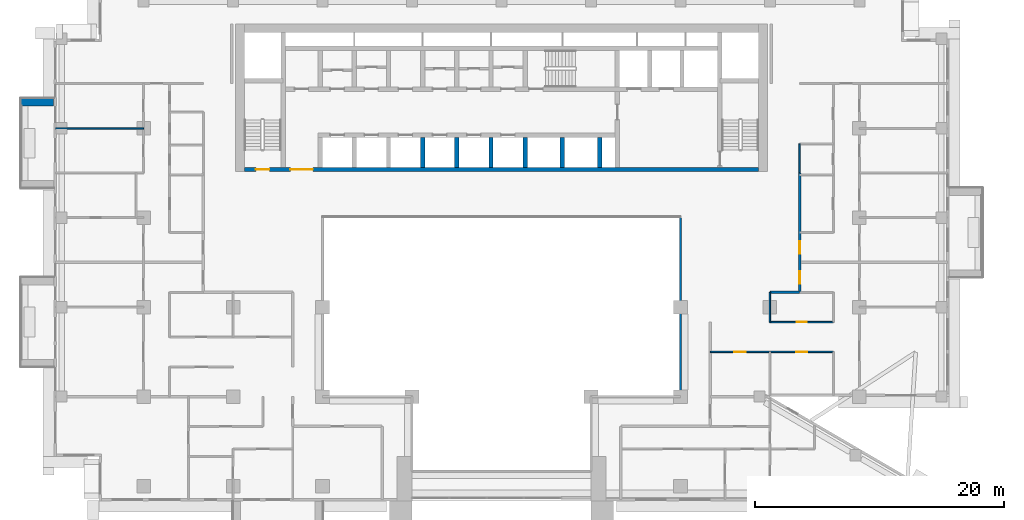
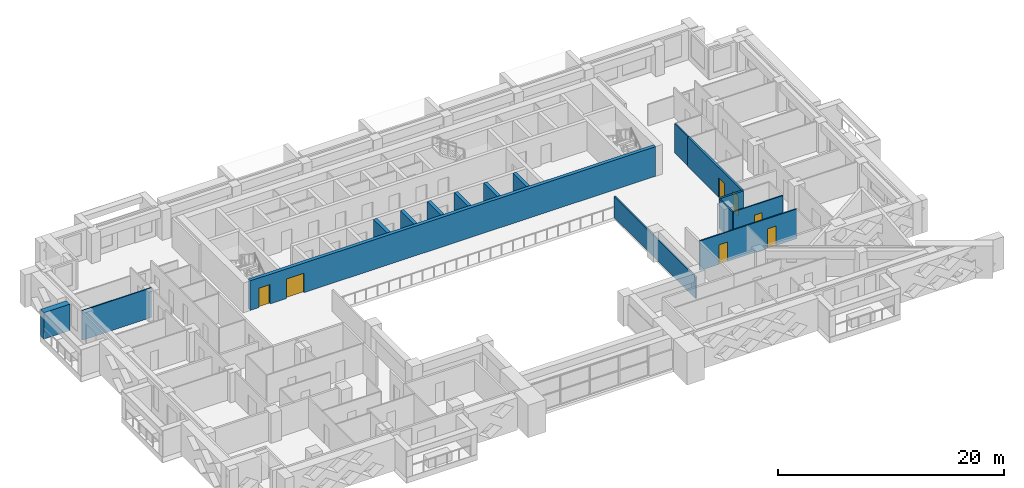
# One storey, part 9 of 20: 16 walls, 7 doors, 7 openings.
"""IFC4 building model written with IfcOpenShell, lengths in metres."""

from ifc_helpers import new_model, si_unit, direction, frame, frame_2d, origin, place, context, subcontext, project, spatial, rectangle, extrude, material, layer, layer_set, type_object, element, fill, save


model = new_model("IFC4")

# Units and contexts
model_context = context("Model", 3, precision=1e-05, world=origin(), true_north=direction((0.0, 1.0)))
body_context = subcontext(model_context, "Body", "Model", "MODEL_VIEW")
ifc_project = project(units=[si_unit("LENGTHUNIT", "METRE"), si_unit("AREAUNIT", "SQUARE_METRE"), si_unit("VOLUMEUNIT", "CUBIC_METRE"), si_unit("PLANEANGLEUNIT", "RADIAN"), si_unit("MASSUNIT", "GRAM", prefix="KILO")], contexts=[model_context])

# Site, building, storey
site_placement = place(None, origin())
site = spatial("IfcSite", under=ifc_project, at=site_placement, CompositionType="ELEMENT")
building_placement = place(site_placement, origin())
building = spatial("IfcBuilding", under=site, at=building_placement, Name="Saffron Iwan Residences", CompositionType="ELEMENT")
storey_placement = place(building_placement, frame((0.0, 0.0, 127.0)))
storey = spatial("IfcBuildingStorey", under=building, at=storey_placement, Name="L33", CompositionType="ELEMENT", Elevation=127.0)

# Walls
ifc_material_1 = material(Name="Fire-rated glazing", Category="glass")
ifc_layer_1 = layer(ifc_material_1, 0.14990234375)
ifc_layer_set_1 = layer_set([ifc_layer_1], Name="Fire-rated glazing")
wall_type_1 = type_object("IfcWallType", Name="Atrium glazed screen 150", PredefinedType="SOLIDWALL", material=ifc_layer_set_1)
wall_1_placement = place(storey_placement, frame((64.800048828125, 48.0, 0.0), z_axis=(0.0, 0.0, 1.0), x_axis=(0.0, 1.0, 0.0)))
element("IfcWall", 1, at=wall_1_placement, inside=storey, type_object=wall_type_1, Name="W-L33-SCREEN-v64.8-48", PredefinedType="SOLIDWALL", context=body_context, shape_type="SweptSolid", body=[
    extrude(rectangle(XDim=14.39990234375, YDim=0.14990234375, at=frame_2d((7.199951171875, 0.0))), origin(), (0.0, 0.0, 1.0), 2.300048828125),
])
ifc_material_2 = material(Name="Concrete C50/60 white painted", Category="concrete")
ifc_layer_2 = layer(ifc_material_2, 0.60009765625)
ifc_layer_set_2 = layer_set([ifc_layer_2], Name="Concrete C50/60 white painted")
wall_type_2 = type_object("IfcWallType", Name="BALCONY FIN 600", PredefinedType="SOLIDWALL", material=ifc_layer_set_2)
wall_2_placement = place(storey_placement, frame((14.35009765625, 71.699951171875, 0.0), z_axis=(0.0, 0.0, 1.0), x_axis=(-1.0, 0.0, 0.0)))
element("IfcWall", 2, at=wall_2_placement, inside=storey, type_object=wall_type_2, Name="Balcony fin L33 F8-0a", PredefinedType="SOLIDWALL", context=body_context, shape_type="SweptSolid", body=[
    extrude(rectangle(XDim=2.650146484375, YDim=0.60009765625, at=frame_2d((1.3251953125, 0.0))), origin(), (0.0, 0.0, 1.0), 2.85009765625),
])

# Wall, openings, doors
ifc_material_3 = material(Name="Gypsum board partition")
ifc_layer_3 = layer(ifc_material_3, 0.1201171875)
ifc_layer_set_3 = layer_set([ifc_layer_3], Name="Gypsum board partition")
wall_type_3 = type_object("IfcWallType", Name="Flat partition 120", PredefinedType="PARTITIONING", material=ifc_layer_set_3)
wall_3_placement = place(storey_placement, frame((67.199951171875, 51.60009765625, 0.0), z_axis=(0.0, 0.0, 1.0), x_axis=(1.0, 0.0, 0.0)))
wall_3 = element("IfcWall", 3, at=wall_3_placement, inside=storey, type_object=wall_type_3, Name="W-L33-PART-h51.6-67.2", PredefinedType="PARTITIONING", context=body_context, shape_type="SweptSolid", body=[
    extrude(rectangle(XDim=9.900146484375, YDim=0.1201171875, at=frame_2d((4.9501953125, 0.0))), origin(), (0.0, 0.0, 1.0), 3.199951171875),
])
opening_1_placement = place(wall_3_placement, frame((6.89990234375, 0.0, 0.0)))
opening_1 = element("IfcOpeningElement", 4, at=opening_1_placement, cuts=wall_3, Name="Opening FD2", PredefinedType="OPENING", context=body_context, shape_type="SweptSolid", body=[
    extrude(rectangle(XDim=0.89990234375, YDim=2.10009765625, at=frame_2d((0.449951171875, 1.050048828125))), frame((0.0, 0.070068359375, 0.0), z_axis=(0.0, -1.0, 0.0), x_axis=(1.0, 0.0, 0.0)), (0.0, 0.0, 1.0), 0.14013671875),
])
opening_2_placement = place(wall_3_placement, frame((1.949951171875, 0.0, 0.0)))
opening_2 = element("IfcOpeningElement", 5, at=opening_2_placement, cuts=wall_3, Name="Opening FD2", PredefinedType="OPENING", context=body_context, shape_type="SweptSolid", body=[
    extrude(rectangle(XDim=0.89990234375, YDim=2.10009765625, at=frame_2d((0.449951171875, 1.050048828125))), frame((0.0, 0.070068359375, 0.0), z_axis=(0.0, -1.0, 0.0), x_axis=(1.0, 0.0, 0.0)), (0.0, 0.0, 1.0), 0.14013671875),
])
ifc_material_4 = material(Name="Timber door", Category="wood")
door_type_1 = type_object("IfcDoorType", Name="Flat door 900", OperationType="NOTDEFINED", PredefinedType="DOOR", material=ifc_material_4)
door_1_placement = place(opening_1_placement, origin())
door_1 = element("IfcDoor", 6, at=door_1_placement, inside=storey, type_object=door_type_1, Name="Door L33-016", OperationType="SINGLE_SWING_RIGHT", OverallHeight=2.10009765625, OverallWidth=0.89990234375, PredefinedType="DOOR", context=body_context, shape_type="SweptSolid", body=[
    extrude(rectangle(XDim=0.89990234375, YDim=2.10009765625, at=frame_2d((0.449951171875, 1.050048828125))), frame((0.0, 0.02490234375, 0.0), z_axis=(0.0, -1.0, 0.0), x_axis=(1.0, 0.0, 0.0)), (0.0, 0.0, 1.0), 0.050048828125),
])
fill(opening_1, door_1)
door_2_placement = place(opening_2_placement, origin())
door_2 = element("IfcDoor", 7, at=door_2_placement, inside=storey, type_object=door_type_1, Name="Door L33-018", OperationType="SINGLE_SWING_LEFT", OverallHeight=2.10009765625, OverallWidth=0.89990234375, PredefinedType="DOOR", context=body_context, shape_type="SweptSolid", body=[
    extrude(rectangle(XDim=0.89990234375, YDim=2.10009765625, at=frame_2d((0.449951171875, 1.050048828125))), frame((0.0, 0.02490234375, 0.0), z_axis=(0.0, -1.0, 0.0), x_axis=(1.0, 0.0, 0.0)), (0.0, 0.0, 1.0), 0.050048828125),
])
fill(opening_2, door_2)

# Wall, opening, door
wall_4_placement = place(storey_placement, frame((72.0, 54.0, 0.0), z_axis=(0.0, 0.0, 1.0), x_axis=(1.0, 0.0, 0.0)))
wall_4 = element("IfcWall", 8, at=wall_4_placement, inside=storey, type_object=wall_type_3, Name="W-L33-PART-h54-72", PredefinedType="PARTITIONING", context=body_context, shape_type="SweptSolid", body=[
    extrude(rectangle(XDim=5.10009765625, YDim=0.1201171875, at=frame_2d((2.550048828125, 0.0))), origin(), (0.0, 0.0, 1.0), 3.199951171875),
])
opening_3_placement = place(wall_4_placement, frame((2.14990234375, 0.0, 0.0)))
opening_3 = element("IfcOpeningElement", 9, at=opening_3_placement, cuts=wall_4, Name="Opening FD3", PredefinedType="OPENING", context=body_context, shape_type="SweptSolid", body=[
    extrude(rectangle(XDim=0.800048828125, YDim=2.10009765625, at=frame_2d((0.39990234375, 1.050048828125))), frame((0.0, 0.070068359375, 0.0), z_axis=(0.0, -1.0, 0.0), x_axis=(1.0, 0.0, 0.0)), (0.0, 0.0, 1.0), 0.14013671875),
])
door_type_2 = type_object("IfcDoorType", Name="Bathroom door 800", OperationType="NOTDEFINED", PredefinedType="DOOR", material=ifc_material_4)
door_3_placement = place(opening_3_placement, origin())
door_3 = element("IfcDoor", 10, at=door_3_placement, inside=storey, type_object=door_type_2, Name="Door L33-017", OperationType="SINGLE_SWING_LEFT", OverallHeight=2.10009765625, OverallWidth=0.800048828125, PredefinedType="DOOR", context=body_context, shape_type="SweptSolid", body=[
    extrude(rectangle(XDim=0.800048828125, YDim=2.10009765625, at=frame_2d((0.39990234375, 1.050048828125))), frame((0.0, 0.02490234375, 0.0), z_axis=(0.0, -1.0, 0.0), x_axis=(1.0, 0.0, 0.0)), (0.0, 0.0, 1.0), 0.050048828125),
])
fill(opening_3, door_3)

# Walls
wall_5_placement = place(storey_placement, frame((14.52490234375, 69.60009765625, 0.0), z_axis=(0.0, 0.0, 1.0), x_axis=(1.0, 0.0, 0.0)))
element("IfcWall", 11, at=wall_5_placement, inside=storey, type_object=wall_type_3, Name="W-L33-PART-h69.6-14.525", PredefinedType="PARTITIONING", context=body_context, shape_type="SweptSolid", body=[
    extrude(rectangle(XDim=7.0751953125, YDim=0.1201171875, at=frame_2d((3.53759765625, 0.0))), origin(), (0.0, 0.0, 1.0), 3.199951171875),
])
wall_6_placement = place(storey_placement, frame((72.0, 54.0, 0.0), z_axis=(0.0, 0.0, 1.0), x_axis=(0.0, 1.0, 0.0)))
element("IfcWall", 12, at=wall_6_placement, inside=storey, type_object=wall_type_3, Name="W-L33-PART-v72-54", PredefinedType="PARTITIONING", context=body_context, shape_type="SweptSolid", body=[
    extrude(rectangle(XDim=2.39990234375, YDim=0.1201171875, at=frame_2d((1.199951171875, 0.0))), origin(), (0.0, 0.0, 1.0), 3.199951171875),
])
wall_7_placement = place(storey_placement, frame((74.39990234375, 66.02001953125, 0.0), z_axis=(0.0, 0.0, 1.0), x_axis=(0.0, 1.0, 0.0)))
element("IfcWall", 13, at=wall_7_placement, inside=storey, type_object=wall_type_3, Name="W-L33-PART-v74.4-66.02", PredefinedType="PARTITIONING", context=body_context, shape_type="SweptSolid", body=[
    extrude(rectangle(XDim=2.330078125, YDim=0.1201171875, at=frame_2d((1.1650390625, 0.0))), origin(), (0.0, 0.0, 1.0), 3.199951171875),
])
ifc_material_5 = material(Name="Fire-rated gypsum board wall")
ifc_layer_4 = layer(ifc_material_5, 0.199951171875)
ifc_layer_set_4 = layer_set([ifc_layer_4], Name="Fire-rated gypsum board wall")
wall_type_4 = type_object("IfcWallType", Name="Gallery wall 200", PredefinedType="SOLIDWALL", material=ifc_layer_set_4)
wall_8_placement = place(storey_placement, frame((72.0, 56.39990234375, 0.0), z_axis=(0.0, 0.0, 1.0), x_axis=(1.0, 0.0, 0.0)))
element("IfcWall", 14, at=wall_8_placement, inside=storey, type_object=wall_type_4, Name="W-L33-CORR-h56.4-72", PredefinedType="SOLIDWALL", context=body_context, shape_type="SweptSolid", body=[
    extrude(rectangle(XDim=2.39990234375, YDim=0.199951171875, at=frame_2d((1.199951171875, 0.0))), origin(), (0.0, 0.0, 1.0), 3.199951171875),
])

# Wall, openings, doors
wall_9_placement = place(storey_placement, frame((74.39990234375, 56.39990234375, 0.0), z_axis=(0.0, 0.0, 1.0), x_axis=(0.0, 1.0, 0.0)))
wall_9 = element("IfcWall", 15, at=wall_9_placement, inside=storey, type_object=wall_type_4, Name="W-L33-CORR-v74.4-56.4", PredefinedType="SOLIDWALL", context=body_context, shape_type="SweptSolid", body=[
    extrude(rectangle(XDim=9.60009765625, YDim=0.199951171875, at=frame_2d((4.800048828125, 0.0))), origin(), (0.0, 0.0, 1.0), 3.199951171875),
])
opening_4_placement = place(wall_9_placement, frame((0.699951171875, 0.0, 0.0)))
opening_4 = element("IfcOpeningElement", 16, at=opening_4_placement, cuts=wall_9, Name="Opening FD1", PredefinedType="OPENING", context=body_context, shape_type="SweptSolid", body=[
    extrude(rectangle(XDim=1.0, YDim=2.10009765625, at=frame_2d((0.5, 1.050048828125))), frame((0.0, 0.10986328125, 0.0), z_axis=(0.0, -1.0, 0.0), x_axis=(1.0, 0.0, 0.0)), (0.0, 0.0, 1.0), 0.219970703125),
])
opening_5_placement = place(wall_9_placement, frame((3.10009765625, 0.0, 0.0)))
opening_5 = element("IfcOpeningElement", 17, at=opening_5_placement, cuts=wall_9, Name="Opening FD1", PredefinedType="OPENING", context=body_context, shape_type="SweptSolid", body=[
    extrude(rectangle(XDim=1.0, YDim=2.10009765625, at=frame_2d((0.5, 1.050048828125))), frame((0.0, 0.10986328125, 0.0), z_axis=(0.0, -1.0, 0.0), x_axis=(1.0, 0.0, 0.0)), (0.0, 0.0, 1.0), 0.219970703125),
])
ifc_material_6 = material(Name="Fire-rated timber door", Category="wood")
door_type_3 = type_object("IfcDoorType", Name="FD30S flat entrance door 1000", OperationType="NOTDEFINED", PredefinedType="DOOR", material=ifc_material_6)
door_4_placement = place(opening_4_placement, origin())
door_4 = element("IfcDoor", 18, at=door_4_placement, inside=storey, type_object=door_type_3, Name="Door L33-013", OperationType="SINGLE_SWING_RIGHT", OverallHeight=2.10009765625, OverallWidth=1.0, PredefinedType="DOOR", context=body_context, shape_type="SweptSolid", body=[
    extrude(rectangle(XDim=1.0, YDim=2.10009765625, at=frame_2d((0.5, 1.050048828125))), frame((0.0, 0.02490234375, 0.0), z_axis=(0.0, -1.0, 0.0), x_axis=(1.0, 0.0, 0.0)), (0.0, 0.0, 1.0), 0.050048828125),
])
fill(opening_4, door_4)
door_5_placement = place(opening_5_placement, origin())
door_5 = element("IfcDoor", 19, at=door_5_placement, inside=storey, type_object=door_type_3, Name="Door L33-029", OperationType="SINGLE_SWING_LEFT", OverallHeight=2.10009765625, OverallWidth=1.0, PredefinedType="DOOR", context=body_context, shape_type="SweptSolid", body=[
    extrude(rectangle(XDim=1.0, YDim=2.10009765625, at=frame_2d((0.5, 1.050048828125))), frame((0.0, 0.02490234375, 0.0), z_axis=(0.0, -1.0, 0.0), x_axis=(1.0, 0.0, 0.0)), (0.0, 0.0, 1.0), 0.050048828125),
])
fill(opening_5, door_5)

ifc_material_7 = material(Name="Concrete C50/60", Category="concrete")
ifc_layer_5 = layer(ifc_material_7, 0.35009765625)
ifc_layer_set_5 = layer_set([ifc_layer_5], Name="Concrete C50/60")
wall_type_5 = type_object("IfcWallType", Name="WALL CORE 350 C50/60 3200 HIGH", PredefinedType="SHEAR", material=ifc_layer_set_5)
wall_10_placement = place(storey_placement, frame((29.699951171875, 66.27490234375, 0.0), z_axis=(0.0, 0.0, 1.0), x_axis=(1.0, 0.0, 0.0)))
wall_10 = element("IfcWall", 20, at=wall_10_placement, inside=storey, type_object=wall_type_5, Name="Core wall", PredefinedType="SHEAR", context=body_context, shape_type="SweptSolid", body=[
    extrude(rectangle(XDim=41.400146484375, YDim=0.35009765625, at=frame_2d((20.7001953125, 0.0))), origin(), (0.0, 0.0, 1.0), 3.199951171875),
])
opening_6_placement = place(wall_10_placement, frame((0.925048828125, 0.0, 0.0)))
opening_6 = element("IfcOpeningElement", 21, at=opening_6_placement, cuts=wall_10, Name="Opening SD", PredefinedType="OPENING", context=body_context, shape_type="SweptSolid", body=[
    extrude(rectangle(XDim=1.10009765625, YDim=2.10009765625, at=frame_2d((0.550048828125, 1.050048828125))), frame((0.0, 0.18505859375, 0.0), z_axis=(0.0, -1.0, 0.0), x_axis=(1.0, 0.0, 0.0)), (0.0, 0.0, 1.0), 0.3701171875),
])
opening_7_placement = place(wall_10_placement, frame((3.71240234375, 0.0, 0.0)))
opening_7 = element("IfcOpeningElement", 22, at=opening_7_placement, cuts=wall_10, Name="Opening DD", PredefinedType="OPENING", context=body_context, shape_type="SweptSolid", body=[
    extrude(rectangle(XDim=1.800048828125, YDim=2.10009765625, at=frame_2d((0.89990234375, 1.050048828125))), frame((0.0, 0.18505859375, 0.0), z_axis=(0.0, -1.0, 0.0), x_axis=(1.0, 0.0, 0.0)), (0.0, 0.0, 1.0), 0.3701171875),
])
ifc_material_8 = material(Name="Steel fire door", Category="steel")
door_type_4 = type_object("IfcDoorType", Name="Lobby double door 1800", OperationType="DOUBLE_DOOR_SINGLE_SWING", PredefinedType="DOOR", material=ifc_material_8)
door_6_placement = place(opening_7_placement, origin())
door_6 = element("IfcDoor", 23, at=door_6_placement, inside=storey, type_object=door_type_4, Name="Lobby doors", OperationType="DOUBLE_DOOR_SINGLE_SWING", OverallHeight=2.10009765625, OverallWidth=1.800048828125, PredefinedType="DOOR", context=body_context, shape_type="SweptSolid", body=[
    extrude(rectangle(XDim=1.800048828125, YDim=2.10009765625, at=frame_2d((0.89990234375, 1.050048828125))), frame((0.0, 0.02490234375, 0.0), z_axis=(0.0, -1.0, 0.0), x_axis=(1.0, 0.0, 0.0)), (0.0, 0.0, 1.0), 0.050048828125),
])
fill(opening_7, door_6)
door_type_5 = type_object("IfcDoorType", Name="Stair door 1100", OperationType="NOTDEFINED", PredefinedType="DOOR", material=ifc_material_8)
door_7_placement = place(opening_6_placement, origin())
door_7 = element("IfcDoor", 24, at=door_7_placement, inside=storey, type_object=door_type_5, Name="Stair door ST-W", OperationType="SINGLE_SWING_LEFT", OverallHeight=2.10009765625, OverallWidth=1.10009765625, PredefinedType="DOOR", context=body_context, shape_type="SweptSolid", body=[
    extrude(rectangle(XDim=1.10009765625, YDim=2.10009765625, at=frame_2d((0.550048828125, 1.050048828125))), frame((0.0, 0.02490234375, 0.0), z_axis=(0.0, -1.0, 0.0), x_axis=(1.0, 0.0, 0.0)), (0.0, 0.0, 1.0), 0.050048828125),
])
fill(opening_6, door_7)

# Walls
for number, where, z_axis, x_axis, name in (
    (25, (44.050048828125, 66.449951171875, 0.0), (0.0, 0.0, 1.0), (0.0, 1.0, 0.0), "Core wall"),
    (26, (46.800048828125, 66.449951171875, 0.0), (0.0, 0.0, 1.0), (0.0, 1.0, 0.0), "Core wall"),
    (27, (49.550048828125, 66.449951171875, 0.0), (0.0, 0.0, 1.0), (0.0, 1.0, 0.0), "Core wall"),
    (28, (52.300048828125, 66.449951171875, 0.0), (0.0, 0.0, 1.0), (0.0, 1.0, 0.0), "Core wall"),
    (29, (55.300048828125, 66.449951171875, 0.0), (0.0, 0.0, 1.0), (0.0, 1.0, 0.0), "Core wall"),
    (30, (58.300048828125, 66.449951171875, 0.0), (0.0, 0.0, 1.0), (0.0, 1.0, 0.0), "Core wall"),
):
    element("IfcWall", number, at=place(storey_placement, frame(where, z_axis=z_axis, x_axis=x_axis)), inside=storey, type_object=wall_type_5, Name=name, PredefinedType="SHEAR", context=body_context, shape_type="SweptSolid", body=[
        extrude(rectangle(XDim=2.425048828125, YDim=0.35009765625, at=frame_2d((1.21240234375, 0.0))), origin(), (0.0, 0.0, 1.0), 3.199951171875),
    ])

save(model, "model.ifc")
